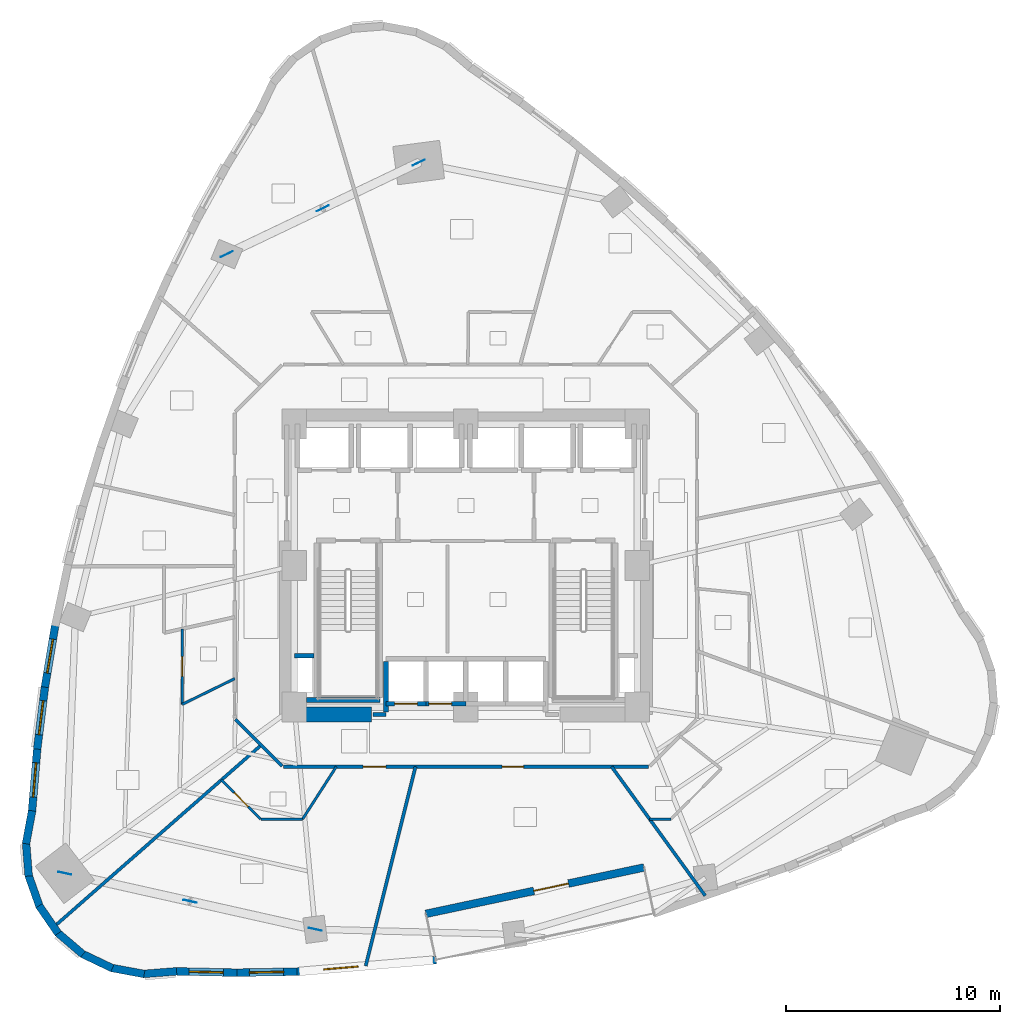
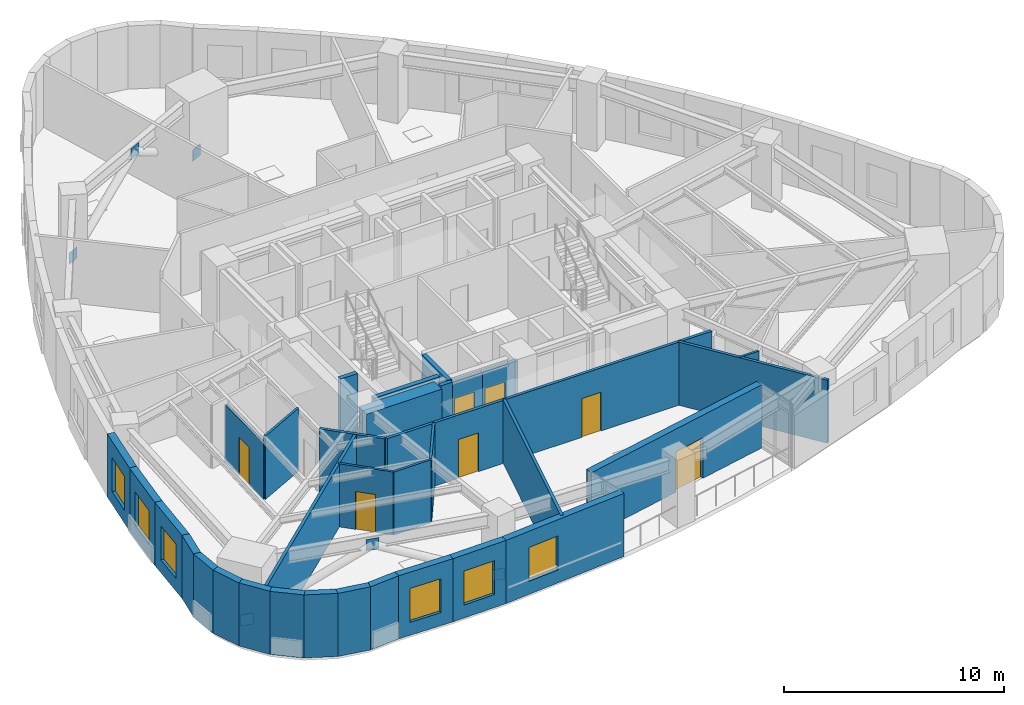
# One storey, part 5 of 12: 33 walls, 7 doors, 6 plates, 6 windows, 13 openings.
"""IFC4 building model written with IfcOpenShell, lengths in metres."""

from ifc_helpers import new_model, si_unit, direction, frame, frame_2d, origin, origin_2d, place, context, subcontext, project, spatial, rectangle, extrude, material, layer, layer_set, type_object, element, fill, save


model = new_model("IFC4")

# Units and contexts
model_context = context("Model", 3, precision=1e-05, world=origin(), true_north=direction((0.0, 1.0)))
body_context = subcontext(model_context, "Body", "Model", "MODEL_VIEW")
ifc_project = project(units=[si_unit("LENGTHUNIT", "METRE"), si_unit("AREAUNIT", "SQUARE_METRE"), si_unit("VOLUMEUNIT", "CUBIC_METRE"), si_unit("PLANEANGLEUNIT", "RADIAN"), si_unit("MASSUNIT", "GRAM", prefix="KILO")], contexts=[model_context])

# Site, building, storey
site_placement = place(None, origin())
site = spatial("IfcSite", under=ifc_project, at=site_placement, CompositionType="ELEMENT")
building_placement = place(site_placement, origin())
building = spatial("IfcBuilding", under=site, at=building_placement, Name="Ndelora Gate Hotel", CompositionType="ELEMENT")
storey_placement = place(building_placement, frame((0.0, 0.0, 71.75)))
storey = spatial("IfcBuildingStorey", under=building, at=storey_placement, Name="L17", CompositionType="ELEMENT", Elevation=71.75)

# Plates
ifc_material_1 = material(Name="Steel S355", Category="steel")
ifc_layer_1 = layer(ifc_material_1, 0.02001953125)
ifc_layer_set_1 = layer_set([ifc_layer_1], Name="Steel S355")
plate_type = type_object("IfcPlateType", Name="PL-NODE-VN1", PredefinedType="USERDEFINED", material=ifc_layer_set_1)
for number, where, z_axis, x_axis, name in (
    (1, (-2.199951171875, 18.800048828125, -0.2900390625), (0.0, 0.0, 1.0), (0.902510132242, 0.4306686211, 0.0), "Node gusset cap plate VN1"),
    (2, (-11.1484375, 14.529052734375, -0.2900390625), (0.0, 0.0, 1.0), (0.902510132242, 0.4306686211, 0.0), "Node gusset cap plate VN1"),
    (3, (-6.67431640625, 16.66455078125, 2.639892578125), (0.0, 0.0, 1.0), (0.902510132242, 0.4306686211, 0.0), "Node gusset cap plate VN1"),
    (4, (-18.701904296875, -14.3505859375, -0.2900390625), (0.0, 0.0, 1.0), (-0.975802408633, 0.218654200292, 0.0), "Node gusset cap plate VN1"),
    (5, (-7.027587890625, -16.96630859375, -0.2900390625), (0.0, 0.0, 1.0), (-0.975802408633, 0.218654200292, 0.0), "Node gusset cap plate VN1"),
    (6, (-12.86474609375, -15.658447265625, 2.639892578125), (0.0, 0.0, 1.0), (-0.975802408633, 0.218654200292, 0.0), "Node gusset cap plate VN1"),
):
    element("IfcPlate", number, at=place(storey_placement, frame(where, z_axis=z_axis, x_axis=x_axis)), inside=storey, type_object=plate_type, Name=name, ObjectType="GUSSET_PLATE", PredefinedType="USERDEFINED", context=body_context, shape_type="SweptSolid", body=[
        extrude(rectangle(XDim=0.6201171875, YDim=0.02001953125, at=origin_2d()), origin(), (0.0, 0.0, 1.0), 0.6201171875),
    ])

# Wall, opening, door
ifc_material_2 = material(Name="Clay Brick Masonry", Category="masonry")
ifc_layer_2 = layer(ifc_material_2, 0.360107421875)
ifc_layer_set_2 = layer_set([ifc_layer_2], Name="Clay Brick Masonry")
wall_type_1 = type_object("IfcWallType", Name="WL-BRICK-360", PredefinedType="SOLIDWALL", material=ifc_layer_set_2)
wall_1_placement = place(storey_placement, frame((8.309326171875, -14.081787109375, 0.0), z_axis=(0.0, 0.0, 1.0), x_axis=(-0.978145663611, -0.207920804056, 0.0)))
wall_1 = element("IfcWall", 7, at=wall_1_placement, inside=storey, type_object=wall_type_1, Name="L17 Sky-Garden Loggia Rear Brick Wall", PredefinedType="SOLIDWALL", context=body_context, shape_type="SweptSolid", body=[
    extrude(rectangle(XDim=10.39990234375, YDim=0.360107421875, at=frame_2d((5.199951171875, 0.0))), origin(), (0.0, 0.0, 1.0), 3.5),
])
opening_1_placement = place(wall_1_placement, frame((3.60009765625, 0.0, 0.0)))
opening_1 = element("IfcOpeningElement", 8, at=opening_1_placement, cuts=wall_1, Name="Opening TD1", PredefinedType="OPENING", context=body_context, shape_type="SweptSolid", body=[
    extrude(rectangle(XDim=1.64990234375, YDim=2.25, at=frame_2d((0.824951171875, 1.125))), frame((0.0, 0.18994140625, 0.0), z_axis=(0.0, -1.0, 0.0), x_axis=(1.0, 0.0, 0.0)), (0.0, 0.0, 1.0), 0.380126953125),
])
ifc_material_3 = material(Name="Architectural Bronze Glazed Door", Category="metal")
door_type_1 = type_object("IfcDoorType", Name="DR-TER-1650", OperationType="DOUBLE_DOOR_SINGLE_SWING", PredefinedType="DOOR", material=ifc_material_3)
door_1_placement = place(opening_1_placement, origin())
door_1 = element("IfcDoor", 9, at=door_1_placement, inside=storey, type_object=door_type_1, Name="L17 Sky-Garden Terrace Double Door TD1", OperationType="DOUBLE_DOOR_SINGLE_SWING", OverallHeight=2.25, OverallWidth=1.64990234375, PredefinedType="DOOR", context=body_context, shape_type="SweptSolid", body=[
    extrude(rectangle(XDim=1.64990234375, YDim=2.25, at=frame_2d((0.824951171875, 1.125))), frame((0.0, 0.02490234375, 0.0), z_axis=(0.0, -1.0, 0.0), x_axis=(1.0, 0.0, 0.0)), (0.0, 0.0, 1.0), 0.050048828125),
])
fill(opening_1, door_1)

# Wall, opening, window
wall_2_placement = place(storey_placement, frame((-19.6357421875, -5.670654296875, 0.0), z_axis=(0.0, 0.0, 1.0), x_axis=(0.164870141486, 0.986315282476, 0.0)))
wall_2 = element("IfcWall", 10, at=wall_2_placement, inside=storey, type_object=wall_type_1, Name="L17 Tower Brick Pier-and-Spandrel Wall TWR-18", PredefinedType="SOLIDWALL", context=body_context, shape_type="SweptSolid", body=[
    extrude(rectangle(XDim=2.94091796875, YDim=0.360107421875, at=frame_2d((1.470458984375, 0.0))), origin(), (0.0, 0.0, 1.0), 3.5),
])
opening_2_placement = place(wall_2_placement, frame((0.67041015625, 0.0, 0.719970703125)))
opening_2 = element("IfcOpeningElement", 11, at=opening_2_placement, cuts=wall_2, Name="Opening W01", PredefinedType="OPENING", context=body_context, shape_type="SweptSolid", body=[
    extrude(rectangle(XDim=1.60009765625, YDim=1.8798828125, at=frame_2d((0.800048828125, 0.93994140625))), frame((0.0, 0.18994140625, 0.0), z_axis=(0.0, -1.0, 0.0), x_axis=(1.0, 0.0, 0.0)), (0.0, 0.0, 1.0), 0.380126953125),
])
ifc_material_4 = material(Name="Insulated Low-E Double Glazing in Bronze Aluminium Frame", Category="aluminium")
window_type_1 = type_object("IfcWindowType", Name="WN-DEEP-1600", PartitioningType="SINGLE_PANEL", PredefinedType="WINDOW", material=ifc_material_4)
window_1_placement = place(opening_2_placement, origin())
window_1 = element("IfcWindow", 12, at=window_1_placement, inside=storey, type_object=window_type_1, Name="L17 Deep-Set Brick-Pier Window W01", OverallHeight=1.8798828125, OverallWidth=1.60009765625, PartitioningType="SINGLE_PANEL", PredefinedType="WINDOW", context=body_context, shape_type="SweptSolid", body=[
    extrude(rectangle(XDim=1.60009765625, YDim=1.8798828125, at=frame_2d((0.800048828125, 0.93994140625))), frame((0.0, 0.030029296875, 0.0), z_axis=(0.0, -1.0, 0.0), x_axis=(1.0, 0.0, 0.0)), (0.0, 0.0, 1.0), 0.06005859375),
])
fill(opening_2, window_1)

wall_3_placement = place(storey_placement, frame((-19.9951171875, -8.559814453125, 0.0), z_axis=(0.0, 0.0, 1.0), x_axis=(0.123740486397, 0.99231461343, 0.0)))
wall_3 = element("IfcWall", 13, at=wall_3_placement, inside=storey, type_object=wall_type_1, Name="L17 Tower Brick Pier-and-Spandrel Wall TWR-19", PredefinedType="SOLIDWALL", context=body_context, shape_type="SweptSolid", body=[
    extrude(rectangle(XDim=2.96142578125, YDim=0.360107421875, at=frame_2d((1.480712890625, 0.0))), origin(), (0.0, 0.0, 1.0), 3.5),
])
opening_3_placement = place(wall_3_placement, frame((0.6806640625, 0.0, 0.719970703125)))
opening_3 = element("IfcOpeningElement", 14, at=opening_3_placement, cuts=wall_3, Name="Opening W01", PredefinedType="OPENING", context=body_context, shape_type="SweptSolid", body=[
    extrude(rectangle(XDim=1.60009765625, YDim=1.8798828125, at=frame_2d((0.800048828125, 0.93994140625))), frame((0.0, 0.18994140625, 0.0), z_axis=(0.0, -1.0, 0.0), x_axis=(1.0, 0.0, 0.0)), (0.0, 0.0, 1.0), 0.380126953125),
])
window_2_placement = place(opening_3_placement, origin())
window_2 = element("IfcWindow", 15, at=window_2_placement, inside=storey, type_object=window_type_1, Name="L17 Deep-Set Brick-Pier Window W01", OverallHeight=1.8798828125, OverallWidth=1.60009765625, PartitioningType="SINGLE_PANEL", PredefinedType="WINDOW", context=body_context, shape_type="SweptSolid", body=[
    extrude(rectangle(XDim=1.60009765625, YDim=1.8798828125, at=frame_2d((0.800048828125, 0.93994140625))), frame((0.0, 0.030029296875, 0.0), z_axis=(0.0, -1.0, 0.0), x_axis=(1.0, 0.0, 0.0)), (0.0, 0.0, 1.0), 0.06005859375),
])
fill(opening_3, window_2)

wall_4_placement = place(storey_placement, frame((-20.23828125, -11.486572265625, 0.0), z_axis=(0.0, 0.0, 1.0), x_axis=(0.083126652996, 0.996538990487, 0.0)))
wall_4 = element("IfcWall", 16, at=wall_4_placement, inside=storey, type_object=wall_type_1, Name="L17 Tower Brick Pier-and-Spandrel Wall TWR-20", PredefinedType="SOLIDWALL", context=body_context, shape_type="SweptSolid", body=[
    extrude(rectangle(XDim=2.98681640625, YDim=0.360107421875, at=frame_2d((1.493408203125, 0.0))), origin(), (0.0, 0.0, 1.0), 3.5),
])
opening_4_placement = place(wall_4_placement, frame((0.693603515625, 0.0, 0.719970703125)))
opening_4 = element("IfcOpeningElement", 17, at=opening_4_placement, cuts=wall_4, Name="Opening W01", PredefinedType="OPENING", context=body_context, shape_type="SweptSolid", body=[
    extrude(rectangle(XDim=1.60009765625, YDim=1.8798828125, at=frame_2d((0.800048828125, 0.93994140625))), frame((0.0, 0.18994140625, 0.0), z_axis=(0.0, -1.0, 0.0), x_axis=(1.0, 0.0, 0.0)), (0.0, 0.0, 1.0), 0.380126953125),
])
window_3_placement = place(opening_4_placement, origin())
window_3 = element("IfcWindow", 18, at=window_3_placement, inside=storey, type_object=window_type_1, Name="L17 Deep-Set Brick-Pier Window W01", OverallHeight=1.8798828125, OverallWidth=1.60009765625, PartitioningType="SINGLE_PANEL", PredefinedType="WINDOW", context=body_context, shape_type="SweptSolid", body=[
    extrude(rectangle(XDim=1.60009765625, YDim=1.8798828125, at=frame_2d((0.800048828125, 0.93994140625))), frame((0.0, 0.030029296875, 0.0), z_axis=(0.0, -1.0, 0.0), x_axis=(1.0, 0.0, 0.0)), (0.0, 0.0, 1.0), 0.06005859375),
])
fill(opening_4, window_3)

# Walls
for number, where, z_axis, x_axis, name in (
    (19, (-20.516845703125, -12.97509765625, 0.0), (0.0, 0.0, 1.0), (0.18229045082, 0.983244726169, 0.0), "L17 Tower Brick Pier-and-Spandrel Wall TWR-21"),
    (20, (-20.391357421875, -14.48486328125, 0.0), (0.0, 0.0, 1.0), (-0.078510627557, 0.99691327675, 0.0), "L17 Tower Brick Pier-and-Spandrel Wall TWR-22"),
    (21, (-19.879638671875, -15.910888671875, 0.0), (0.0, 0.0, 1.0), (-0.333685345648, 0.942684512496, 0.0), "L17 Tower Brick Pier-and-Spandrel Wall TWR-23"),
):
    element("IfcWall", number, at=place(storey_placement, frame(where, z_axis=z_axis, x_axis=x_axis)), inside=storey, type_object=wall_type_1, Name=name, PredefinedType="SOLIDWALL", context=body_context, shape_type="SweptSolid", body=[
        extrude(rectangle(XDim=1.564208984375, YDim=0.360107421875, at=frame_2d((0.7822265625, 0.0))), origin(), (0.0, 0.0, 1.0), 3.5),
    ])
for number, where, z_axis, x_axis, name in (
    (22, (-19.01611328125, -17.155517578125, 0.0), (0.0, 0.0, 1.0), (-0.566495697246, 0.824064697097, 0.0), "L17 Tower Brick Pier-and-Spandrel Wall TWR-24"),
    (23, (-17.860107421875, -18.134521484375, 0.0), (0.0, 0.0, 1.0), (-0.76042346739, 0.649427555808, 0.0), "L17 Tower Brick Pier-and-Spandrel Wall TWR-25"),
):
    element("IfcWall", number, at=place(storey_placement, frame(where, z_axis=z_axis, x_axis=x_axis)), inside=storey, type_object=wall_type_1, Name=name, PredefinedType="SOLIDWALL", context=body_context, shape_type="SweptSolid", body=[
        extrude(rectangle(XDim=1.56396484375, YDim=0.360107421875, at=frame_2d((0.781982421875, 0.0))), origin(), (0.0, 0.0, 1.0), 3.5),
    ])
for number, where, z_axis, x_axis, name in (
    (24, (-16.48974609375, -18.781005859375, 0.0), (0.0, 0.0, 1.0), (-0.902545831902, 0.430593800833, 0.0), "L17 Tower Brick Pier-and-Spandrel Wall TWR-26"),
    (25, (-14.9990234375, -19.05078125, 0.0), (0.0, 0.0, 1.0), (-0.983244726169, 0.18229045082, 0.0), "L17 Tower Brick Pier-and-Spandrel Wall TWR-27"),
    (26, (-13.4892578125, -18.92529296875, 0.0), (0.0, 0.0, 1.0), (-0.99691327675, -0.078510627557, 0.0), "L17 Tower Brick Pier-and-Spandrel Wall TWR-28"),
):
    element("IfcWall", number, at=place(storey_placement, frame(where, z_axis=z_axis, x_axis=x_axis)), inside=storey, type_object=wall_type_1, Name=name, PredefinedType="SOLIDWALL", context=body_context, shape_type="SweptSolid", body=[
        extrude(rectangle(XDim=1.564208984375, YDim=0.360107421875, at=frame_2d((0.7822265625, 0.0))), origin(), (0.0, 0.0, 1.0), 3.5),
    ])

# Wall, opening, window
wall_5_placement = place(storey_placement, frame((-10.669921875, -18.99072265625, 0.0), z_axis=(0.0, 0.0, 1.0), x_axis=(-0.999751621908, 0.02228664383, 0.0)))
wall_5 = element("IfcWall", 27, at=wall_5_placement, inside=storey, type_object=wall_type_1, Name="L17 Tower Brick Pier-and-Spandrel Wall TWR-29", PredefinedType="SOLIDWALL", context=body_context, shape_type="SweptSolid", body=[
    extrude(rectangle(XDim=2.8701171875, YDim=0.360107421875, at=frame_2d((1.43505859375, 0.0))), origin(), (0.0, 0.0, 1.0), 3.5),
])
opening_5_placement = place(wall_5_placement, frame((0.635009765625, 0.0, 0.719970703125)))
opening_5 = element("IfcOpeningElement", 28, at=opening_5_placement, cuts=wall_5, Name="Opening W03", PredefinedType="OPENING", context=body_context, shape_type="SweptSolid", body=[
    extrude(rectangle(XDim=1.60009765625, YDim=1.8798828125, at=frame_2d((0.800048828125, 0.93994140625))), frame((0.0, 0.18994140625, 0.0), z_axis=(0.0, -1.0, 0.0), x_axis=(1.0, 0.0, 0.0)), (0.0, 0.0, 1.0), 0.380126953125),
])
window_type_2 = type_object("IfcWindowType", Name="WN-CORN-2100", PartitioningType="SINGLE_PANEL", PredefinedType="WINDOW", material=ifc_material_4)
window_4_placement = place(opening_5_placement, origin())
window_4 = element("IfcWindow", 29, at=window_4_placement, inside=storey, type_object=window_type_2, Name="L17 Deep-Set Brick-Pier Window W03", OverallHeight=1.8798828125, OverallWidth=1.60009765625, PartitioningType="SINGLE_PANEL", PredefinedType="WINDOW", context=body_context, shape_type="SweptSolid", body=[
    extrude(rectangle(XDim=1.60009765625, YDim=1.8798828125, at=frame_2d((0.800048828125, 0.93994140625))), frame((0.0, 0.030029296875, 0.0), z_axis=(0.0, -1.0, 0.0), x_axis=(1.0, 0.0, 0.0)), (0.0, 0.0, 1.0), 0.06005859375),
])
fill(opening_5, window_4)

wall_6_placement = place(storey_placement, frame((-7.8740234375, -18.9423828125, 0.0), z_axis=(0.0, 0.0, 1.0), x_axis=(-0.999857230365, -0.016897304142, 0.0)))
wall_6 = element("IfcWall", 30, at=wall_6_placement, inside=storey, type_object=wall_type_1, Name="L17 Tower Brick Pier-and-Spandrel Wall TWR-30", PredefinedType="SOLIDWALL", context=body_context, shape_type="SweptSolid", body=[
    extrude(rectangle(XDim=2.846435546875, YDim=0.360107421875, at=frame_2d((1.42333984375, 0.0))), origin(), (0.0, 0.0, 1.0), 3.5),
])
opening_6_placement = place(wall_6_placement, frame((0.623291015625, 0.0, 0.719970703125)))
opening_6 = element("IfcOpeningElement", 31, at=opening_6_placement, cuts=wall_6, Name="Opening W01", PredefinedType="OPENING", context=body_context, shape_type="SweptSolid", body=[
    extrude(rectangle(XDim=1.60009765625, YDim=1.8798828125, at=frame_2d((0.800048828125, 0.93994140625))), frame((0.0, 0.18994140625, 0.0), z_axis=(0.0, -1.0, 0.0), x_axis=(1.0, 0.0, 0.0)), (0.0, 0.0, 1.0), 0.380126953125),
])
window_5_placement = place(opening_6_placement, origin())
window_5 = element("IfcWindow", 32, at=window_5_placement, inside=storey, type_object=window_type_1, Name="L17 Deep-Set Brick-Pier Window W01", OverallHeight=1.8798828125, OverallWidth=1.60009765625, PartitioningType="SINGLE_PANEL", PredefinedType="WINDOW", context=body_context, shape_type="SweptSolid", body=[
    extrude(rectangle(XDim=1.60009765625, YDim=1.8798828125, at=frame_2d((0.800048828125, 0.93994140625))), frame((0.0, 0.030029296875, 0.0), z_axis=(0.0, -1.0, 0.0), x_axis=(1.0, 0.0, 0.0)), (0.0, 0.0, 1.0), 0.06005859375),
])
fill(opening_6, window_5)

wall_7_placement = place(storey_placement, frame((-1.381103515625, -18.39404296875, 0.0), z_axis=(0.0, 0.0, 1.0), x_axis=(-0.996472288139, -0.083922458089, 0.0)))
wall_7 = element("IfcWall", 33, at=wall_7_placement, inside=storey, type_object=wall_type_1, Name="L17 Tower Brick Pier-and-Spandrel Wall TWR-31", PredefinedType="SOLIDWALL", context=body_context, shape_type="SweptSolid", body=[
    extrude(rectangle(XDim=6.56591796875, YDim=0.360107421875, at=frame_2d((3.282958984375, 0.0))), origin(), (0.0, 0.0, 1.0), 3.5),
])
opening_7_placement = place(wall_7_placement, frame((3.659912109375, 0.0, 0.719970703125)))
opening_7 = element("IfcOpeningElement", 34, at=opening_7_placement, cuts=wall_7, Name="Opening W01", PredefinedType="OPENING", context=body_context, shape_type="SweptSolid", body=[
    extrude(rectangle(XDim=1.60009765625, YDim=1.8798828125, at=frame_2d((0.800048828125, 0.93994140625))), frame((0.0, 0.18994140625, 0.0), z_axis=(0.0, -1.0, 0.0), x_axis=(1.0, 0.0, 0.0)), (0.0, 0.0, 1.0), 0.380126953125),
])
window_6_placement = place(opening_7_placement, origin())
window_6 = element("IfcWindow", 35, at=window_6_placement, inside=storey, type_object=window_type_1, Name="L17 Deep-Set Brick-Pier Window W01", OverallHeight=1.8798828125, OverallWidth=1.60009765625, PartitioningType="SINGLE_PANEL", PredefinedType="WINDOW", context=body_context, shape_type="SweptSolid", body=[
    extrude(rectangle(XDim=1.60009765625, YDim=1.8798828125, at=frame_2d((0.800048828125, 0.93994140625))), frame((0.0, 0.030029296875, 0.0), z_axis=(0.0, -1.0, 0.0), x_axis=(1.0, 0.0, 0.0)), (0.0, 0.0, 1.0), 0.06005859375),
])
fill(opening_7, window_6)

# Walls
ifc_material_5 = material(Name="Concrete C60/75", Category="concrete")
ifc_layer_3 = layer(ifc_material_5, 0.699951171875)
ifc_layer_set_3 = layer_set([ifc_layer_3], Name="Concrete C60/75")
wall_type_2 = type_object("IfcWallType", Name="WL-CORE-700", PredefinedType="SHEAR", material=ifc_layer_set_3)
wall_8_placement = place(storey_placement, frame((-8.35009765625, -6.949951171875, 0.0), z_axis=(0.0, 0.0, 1.0), x_axis=(1.0, 0.0, 0.0)))
element("IfcWall", 36, at=wall_8_placement, inside=storey, type_object=wall_type_2, Name="L17 Core Shear Wall S-W", PredefinedType="SHEAR", context=body_context, shape_type="SweptSolid", body=[
    extrude(rectangle(XDim=3.9501953125, YDim=0.699951171875, at=frame_2d((1.97509765625, 0.0))), origin(), (0.0, 0.0, 1.0), 3.5),
])
ifc_material_6 = material(Name="Concrete C40/50", Category="concrete")
ifc_layer_4 = layer(ifc_material_6, 0.199951171875)
ifc_layer_set_4 = layer_set([ifc_layer_4], Name="Concrete C40/50")
wall_type_3 = type_object("IfcWallType", Name="WL-FIRE-200", PredefinedType="PARTITIONING", material=ifc_layer_set_4)
wall_9_placement = place(storey_placement, frame((-4.320068359375, -6.949951171875, 0.0), z_axis=(0.0, 0.0, 1.0), x_axis=(1.0, 0.0, 0.0)))
element("IfcWall", 37, at=wall_9_placement, inside=storey, type_object=wall_type_3, Name="L17 Interior Wall IW-2", PredefinedType="PARTITIONING", context=body_context, shape_type="SweptSolid", body=[
    extrude(rectangle(XDim=0.60009765625, YDim=0.199951171875, at=frame_2d((0.300048828125, 0.0))), origin(), (0.0, 0.0, 1.0), 3.5),
])

# Wall, openings, doors
ifc_material_7 = material(Name="Fire-Rated Gypsum Stud Partition", Category="gypsum")
ifc_layer_5 = layer(ifc_material_7, 0.14990234375)
ifc_layer_set_5 = layer_set([ifc_layer_5], Name="Fire-Rated Gypsum Stud Partition")
wall_type_4 = type_object("IfcWallType", Name="WL-PART-150", PredefinedType="PARTITIONING", material=ifc_layer_set_5)
wall_10_placement = place(storey_placement, frame((8.510009765625, -9.3798828125, 0.0), z_axis=(0.0, 0.0, 1.0), x_axis=(-1.0, 0.0, 0.0)))
wall_10 = element("IfcWall", 38, at=wall_10_placement, inside=storey, type_object=wall_type_4, Name="L17 Interior Wall IW-5", PredefinedType="PARTITIONING", context=body_context, shape_type="SweptSolid", body=[
    extrude(rectangle(XDim=17.02001953125, YDim=0.14990234375, at=frame_2d((8.510009765625, 0.0))), origin(), (0.0, 0.0, 1.0), 3.5),
])
opening_8_placement = place(wall_10_placement, frame((5.815185546875, 0.0, 0.0)))
opening_8 = element("IfcOpeningElement", 39, at=opening_8_placement, cuts=wall_10, Name="Opening D01", PredefinedType="OPENING", context=body_context, shape_type="SweptSolid", body=[
    extrude(rectangle(XDim=1.0, YDim=2.14990234375, at=frame_2d((0.5, 1.074951171875))), frame((0.0, 0.0849609375, 0.0), z_axis=(0.0, -1.0, 0.0), x_axis=(1.0, 0.0, 0.0)), (0.0, 0.0, 1.0), 0.169921875),
])
opening_9_placement = place(wall_10_placement, frame((12.23779296875, 0.0, 0.0)))
opening_9 = element("IfcOpeningElement", 40, at=opening_9_placement, cuts=wall_10, Name="Opening D07", PredefinedType="OPENING", context=body_context, shape_type="SweptSolid", body=[
    extrude(rectangle(XDim=1.06005859375, YDim=2.14990234375, at=frame_2d((0.530029296875, 1.074951171875))), frame((0.0, 0.0849609375, 0.0), z_axis=(0.0, -1.0, 0.0), x_axis=(1.0, 0.0, 0.0)), (0.0, 0.0, 1.0), 0.169921875),
])
ifc_material_8 = material(Name="Acoustic Hardwood Guest Entrance Door", Category="wood")
door_type_2 = type_object("IfcDoorType", Name="DR-COR-1000", OperationType="SINGLE_SWING_LEFT", PredefinedType="DOOR", material=ifc_material_8)
door_2_placement = place(opening_8_placement, origin())
door_2 = element("IfcDoor", 41, at=door_2_placement, inside=storey, type_object=door_type_2, Name="L17 Sky Garden Tea Dining Room Entrance Door", OperationType="SINGLE_SWING_LEFT", OverallHeight=2.14990234375, OverallWidth=1.0, PredefinedType="DOOR", context=body_context, shape_type="SweptSolid", body=[
    extrude(rectangle(XDim=1.0, YDim=2.14990234375, at=frame_2d((0.5, 1.074951171875))), frame((0.0, 0.02490234375, 0.0), z_axis=(0.0, -1.0, 0.0), x_axis=(1.0, 0.0, 0.0)), (0.0, 0.0, 1.0), 0.050048828125),
])
fill(opening_8, door_2)
ifc_material_9 = material(Name="Diplomatic Suite Acoustic Entrance Door", Category="wood")
door_type_3 = type_object("IfcDoorType", Name="DR-SUITE-1060", OperationType="SINGLE_SWING_LEFT", PredefinedType="DOOR", material=ifc_material_9)
door_3_placement = place(opening_9_placement, origin())
door_3 = element("IfcDoor", 42, at=door_3_placement, inside=storey, type_object=door_type_3, Name="L17 Corner Executive Suite 2002 Entrance Door", OperationType="SINGLE_SWING_LEFT", OverallHeight=2.14990234375, OverallWidth=1.06005859375, PredefinedType="DOOR", context=body_context, shape_type="SweptSolid", body=[
    extrude(rectangle(XDim=1.06005859375, YDim=2.14990234375, at=frame_2d((0.530029296875, 1.074951171875))), frame((0.0, 0.02490234375, 0.0), z_axis=(0.0, -1.0, 0.0), x_axis=(1.0, 0.0, 0.0)), (0.0, 0.0, 1.0), 0.050048828125),
])
fill(opening_9, door_3)

# Walls
wall_11_placement = place(storey_placement, frame((-8.578369140625, -9.351806640625, 0.0), z_axis=(0.0, 0.0, 1.0), x_axis=(-0.707067066127, 0.707146494016, 0.0)))
element("IfcWall", 43, at=wall_11_placement, inside=storey, type_object=wall_type_4, Name="L17 Interior Wall IW-5", PredefinedType="PARTITIONING", context=body_context, shape_type="SweptSolid", body=[
    extrude(rectangle(XDim=3.07373046875, YDim=0.14990234375, at=frame_2d((1.536865234375, 0.0))), origin(), (0.0, 0.0, 1.0), 3.5),
])
wall_12_placement = place(storey_placement, frame((-9.552490234375, -8.37744140625, 0.0), z_axis=(0.0, 0.0, 1.0), x_axis=(-0.751837697968, -0.659348220529, 0.0)))
element("IfcWall", 44, at=wall_12_placement, inside=storey, type_object=wall_type_4, Name="L17 Interior Wall IW-5", PredefinedType="PARTITIONING", context=body_context, shape_type="SweptSolid", body=[
    extrude(rectangle(XDim=12.8603515625, YDim=0.14990234375, at=frame_2d((6.43017578125, 0.0))), origin(), (0.0, 0.0, 1.0), 3.5),
])
wall_13_placement = place(storey_placement, frame((-2.34521484375, -9.3798828125, 0.0), z_axis=(0.0, 0.0, 1.0), x_axis=(-0.242559617753, -0.970136501651, 0.0)))
element("IfcWall", 45, at=wall_13_placement, inside=storey, type_object=wall_type_4, Name="L17 Interior Wall IW-5", PredefinedType="PARTITIONING", context=body_context, shape_type="SweptSolid", body=[
    extrude(rectangle(XDim=9.576904296875, YDim=0.14990234375, at=frame_2d((4.78857421875, 0.0))), origin(), (0.0, 0.0, 1.0), 3.5),
])
wall_14_placement = place(storey_placement, frame((6.802490234375, -9.3798828125, 0.0), z_axis=(0.0, 0.0, 1.0), x_axis=(0.587044518105, -0.809554651499, 0.0)))
element("IfcWall", 46, at=wall_14_placement, inside=storey, type_object=wall_type_4, Name="L17 Interior Wall IW-5", PredefinedType="PARTITIONING", context=body_context, shape_type="SweptSolid", body=[
    extrude(rectangle(XDim=7.434814453125, YDim=0.14990234375, at=frame_2d((3.71728515625, 0.0))), origin(), (0.0, 0.0, 1.0), 3.5),
])
ifc_layer_6 = layer(ifc_material_6, 0.219970703125)
ifc_layer_set_6 = layer_set([ifc_layer_6], Name="Concrete C40/50")
wall_type_5 = type_object("IfcWallType", Name="WL-SHAFT-220", PredefinedType="PARTITIONING", material=ifc_layer_set_6)
wall_15_placement = place(storey_placement, frame((-8.0, -4.199951171875, 0.0), z_axis=(0.0, 0.0, 1.0), x_axis=(1.0, 0.0, 0.0)))
element("IfcWall", 47, at=wall_15_placement, inside=storey, type_object=wall_type_5, Name="L17 Interior Wall IW-1", PredefinedType="PARTITIONING", context=body_context, shape_type="SweptSolid", body=[
    extrude(rectangle(XDim=0.909912109375, YDim=0.219970703125, at=frame_2d((0.455078125, 0.0))), origin(), (0.0, 0.0, 1.0), 3.5),
])

# Wall, opening, door
wall_16_placement = place(storey_placement, frame((-3.719970703125, -6.449951171875, 0.0), z_axis=(0.0, 0.0, 1.0), x_axis=(1.0, 0.0, 0.0)))
wall_16 = element("IfcWall", 48, at=wall_16_placement, inside=storey, type_object=wall_type_5, Name="L17 Interior Wall IW-1", PredefinedType="PARTITIONING", context=body_context, shape_type="SweptSolid", body=[
    extrude(rectangle(XDim=1.85986328125, YDim=0.219970703125, at=frame_2d((0.929931640625, 0.0))), origin(), (0.0, 0.0, 1.0), 3.080078125),
])
opening_10_placement = place(wall_16_placement, frame((0.39990234375, 0.0, 0.0)))
opening_10 = element("IfcOpeningElement", 49, at=opening_10_placement, cuts=wall_16, Name="Opening LD1", PredefinedType="OPENING", context=body_context, shape_type="SweptSolid", body=[
    extrude(rectangle(XDim=1.06005859375, YDim=2.14990234375, at=frame_2d((0.530029296875, 1.074951171875))), frame((0.0, 0.1201171875, 0.0), z_axis=(0.0, -1.0, 0.0), x_axis=(1.0, 0.0, 0.0)), (0.0, 0.0, 1.0), 0.239990234375),
])
ifc_material_10 = material(Name="Brushed Bronze Stainless Lift Landing Door", Category="metal")
door_type_4 = type_object("IfcDoorType", Name="DR-LD1", OperationType="DOUBLE_DOOR_SLIDING", PredefinedType="DOOR", material=ifc_material_10)
door_4_placement = place(opening_10_placement, origin())
door_4 = element("IfcDoor", 50, at=door_4_placement, inside=storey, type_object=door_type_4, Name="L17 Lift Landing Sliding Door P1A", OperationType="DOUBLE_DOOR_SLIDING", OverallHeight=2.14990234375, OverallWidth=1.06005859375, PredefinedType="DOOR", context=body_context, shape_type="SweptSolid", body=[
    extrude(rectangle(XDim=1.06005859375, YDim=2.14990234375, at=frame_2d((0.530029296875, 1.074951171875))), frame((0.0, 0.02490234375, 0.0), z_axis=(0.0, -1.0, 0.0), x_axis=(1.0, 0.0, 0.0)), (0.0, 0.0, 1.0), 0.050048828125),
])
fill(opening_10, door_4)

# Wall
wall_17_placement = place(storey_placement, frame((-3.719970703125, -6.830078125, 0.0), z_axis=(0.0, 0.0, 1.0), x_axis=(0.0, 1.0, 0.0)))
element("IfcWall", 51, at=wall_17_placement, inside=storey, type_object=wall_type_5, Name="L17 Interior Wall IW-1", PredefinedType="PARTITIONING", context=body_context, shape_type="SweptSolid", body=[
    extrude(rectangle(XDim=2.360107421875, YDim=0.219970703125, at=frame_2d((1.18017578125, 0.0))), origin(), (0.0, 0.0, 1.0), 3.5),
])

# Wall, opening, door
wall_18_placement = place(storey_placement, frame((-1.860107421875, -6.449951171875, 0.0), z_axis=(0.0, 0.0, 1.0), x_axis=(1.0, 0.0, 0.0)))
wall_18 = element("IfcWall", 52, at=wall_18_placement, inside=storey, type_object=wall_type_5, Name="L17 Interior Wall IW-1", PredefinedType="PARTITIONING", context=body_context, shape_type="SweptSolid", body=[
    extrude(rectangle(XDim=1.860107421875, YDim=0.219970703125, at=frame_2d((0.93017578125, 0.0))), origin(), (0.0, 0.0, 1.0), 3.080078125),
])
opening_11_placement = place(wall_18_placement, frame((0.139892578125, 0.0, 0.0)))
opening_11 = element("IfcOpeningElement", 53, at=opening_11_placement, cuts=wall_18, Name="Opening LD1", PredefinedType="OPENING", context=body_context, shape_type="SweptSolid", body=[
    extrude(rectangle(XDim=1.06005859375, YDim=2.14990234375, at=frame_2d((0.530029296875, 1.074951171875))), frame((0.0, 0.1201171875, 0.0), z_axis=(0.0, -1.0, 0.0), x_axis=(1.0, 0.0, 0.0)), (0.0, 0.0, 1.0), 0.239990234375),
])
door_5_placement = place(opening_11_placement, origin())
door_5 = element("IfcDoor", 54, at=door_5_placement, inside=storey, type_object=door_type_4, Name="L17 Lift Landing Sliding Door P1B", OperationType="DOUBLE_DOOR_SLIDING", OverallHeight=2.14990234375, OverallWidth=1.06005859375, PredefinedType="DOOR", context=body_context, shape_type="SweptSolid", body=[
    extrude(rectangle(XDim=1.06005859375, YDim=2.14990234375, at=frame_2d((0.530029296875, 1.074951171875))), frame((0.0, 0.02490234375, 0.0), z_axis=(0.0, -1.0, 0.0), x_axis=(1.0, 0.0, 0.0)), (0.0, 0.0, 1.0), 0.050048828125),
])
fill(opening_11, door_5)

# Walls
ifc_material_11 = material(Name="Concrete C50/60", Category="concrete")
ifc_layer_7 = layer(ifc_material_11, 0.239990234375)
ifc_layer_set_7 = layer_set([ifc_layer_7], Name="Concrete C50/60")
wall_type_6 = type_object("IfcWallType", Name="WL-STAIR-240", PredefinedType="SHEAR", material=ifc_layer_set_7)
wall_19_placement = place(storey_placement, frame((-7.425048828125, -6.27001953125, 0.0), z_axis=(0.0, 0.0, 1.0), x_axis=(1.0, 0.0, 0.0)))
element("IfcWall", 55, at=wall_19_placement, inside=storey, type_object=wall_type_6, Name="L17 Stair Core Shear Wall SW-ST", PredefinedType="SHEAR", context=body_context, shape_type="SweptSolid", body=[
    extrude(rectangle(XDim=3.4150390625, YDim=0.239990234375, at=frame_2d((1.70751953125, 0.0))), origin(), (0.0, 0.0, 1.0), 3.5),
])
ifc_material_12 = material(Name="Moisture-Resistant Bathroom Tile Partition", Category="gypsum")
ifc_layer_8 = layer(ifc_material_12, 0.1201171875)
ifc_layer_set_8 = layer_set([ifc_layer_8], Name="Moisture-Resistant Bathroom Tile Partition")
wall_type_7 = type_object("IfcWallType", Name="WL-WET-120", PredefinedType="PARTITIONING", material=ifc_layer_set_8)
wall_20_placement = place(storey_placement, frame((-10.780029296875, -5.273193359375, 0.0), z_axis=(0.0, 0.0, 1.0), x_axis=(-0.898278372968, -0.439426859282, 0.0)))
element("IfcWall", 56, at=wall_20_placement, inside=storey, type_object=wall_type_7, Name="L17 Interior Wall IW-7", PredefinedType="PARTITIONING", context=body_context, shape_type="SweptSolid", body=[
    extrude(rectangle(XDim=2.727294921875, YDim=0.1201171875, at=frame_2d((1.36376953125, 0.0))), origin(), (0.0, 0.0, 1.0), 3.5),
])

# Wall, opening, door
wall_21_placement = place(storey_placement, frame((-13.22998046875, -6.4716796875, 0.0), z_axis=(0.0, 0.0, 1.0), x_axis=(0.0, 1.0, 0.0)))
wall_21 = element("IfcWall", 57, at=wall_21_placement, inside=storey, type_object=wall_type_7, Name="L17 Interior Wall IW-7", PredefinedType="PARTITIONING", context=body_context, shape_type="SweptSolid", body=[
    extrude(rectangle(XDim=3.522705078125, YDim=0.1201171875, at=frame_2d((1.76123046875, 0.0))), origin(), (0.0, 0.0, 1.0), 3.1201171875),
])
opening_12_placement = place(wall_21_placement, frame((1.30126953125, 0.0, 0.0)))
opening_12 = element("IfcOpeningElement", 58, at=opening_12_placement, cuts=wall_21, Name="Opening D03", PredefinedType="OPENING", context=body_context, shape_type="SweptSolid", body=[
    extrude(rectangle(XDim=0.919921875, YDim=2.10009765625, at=frame_2d((0.4599609375, 1.050048828125))), frame((0.0, 0.070068359375, 0.0), z_axis=(0.0, -1.0, 0.0), x_axis=(1.0, 0.0, 0.0)), (0.0, 0.0, 1.0), 0.14013671875),
])
ifc_material_13 = material(Name="Moisture-Resistant Hardwood En-Suite Door", Category="wood")
door_type_5 = type_object("IfcDoorType", Name="DR-BATH-920", OperationType="SINGLE_SWING_LEFT", PredefinedType="DOOR", material=ifc_material_13)
door_6_placement = place(opening_12_placement, origin())
door_6 = element("IfcDoor", 59, at=door_6_placement, inside=storey, type_object=door_type_5, Name="L17 En-suite Bathroom 2001 Door", OperationType="SINGLE_SWING_RIGHT", OverallHeight=2.10009765625, OverallWidth=0.919921875, PredefinedType="DOOR", context=body_context, shape_type="SweptSolid", body=[
    extrude(rectangle(XDim=0.919921875, YDim=2.10009765625, at=frame_2d((0.4599609375, 1.050048828125))), frame((0.0, 0.02490234375, 0.0), z_axis=(0.0, -1.0, 0.0), x_axis=(1.0, 0.0, 0.0)), (0.0, 0.0, 1.0), 0.050048828125),
])
fill(opening_12, door_6)

# Walls
wall_22_placement = place(storey_placement, frame((-7.61865234375, -11.830078125, 0.0), z_axis=(0.0, 0.0, 1.0), x_axis=(0.541367176674, 0.840786286769, 0.0)))
element("IfcWall", 60, at=wall_22_placement, inside=storey, type_object=wall_type_7, Name="L17 Interior Wall IW-7", PredefinedType="PARTITIONING", context=body_context, shape_type="SweptSolid", body=[
    extrude(rectangle(XDim=2.9140625, YDim=0.1201171875, at=frame_2d((1.45703125, 0.0))), origin(), (0.0, 0.0, 1.0), 3.5),
])
wall_23_placement = place(storey_placement, frame((-7.61865234375, -11.830078125, 0.0), z_axis=(0.0, 0.0, 1.0), x_axis=(-1.0, 0.0, 0.0)))
element("IfcWall", 61, at=wall_23_placement, inside=storey, type_object=wall_type_7, Name="L17 Interior Wall IW-7", PredefinedType="PARTITIONING", context=body_context, shape_type="SweptSolid", body=[
    extrude(rectangle(XDim=1.946044921875, YDim=0.1201171875, at=frame_2d((0.97314453125, 0.0))), origin(), (0.0, 0.0, 1.0), 3.5),
])

# Wall, opening, door
wall_24_placement = place(storey_placement, frame((-9.564697265625, -11.830078125, 0.0), z_axis=(0.0, 0.0, 1.0), x_axis=(-0.707106781187, 0.707106781187, 0.0)))
wall_24 = element("IfcWall", 62, at=wall_24_placement, inside=storey, type_object=wall_type_7, Name="L17 Interior Wall IW-7", PredefinedType="PARTITIONING", context=body_context, shape_type="SweptSolid", body=[
    extrude(rectangle(XDim=2.59326171875, YDim=0.1201171875, at=frame_2d((1.296630859375, 0.0))), origin(), (0.0, 0.0, 1.0), 3.5),
])
opening_13_placement = place(wall_24_placement, frame((0.836669921875, 0.0, 0.0)))
opening_13 = element("IfcOpeningElement", 63, at=opening_13_placement, cuts=wall_24, Name="Opening D03", PredefinedType="OPENING", context=body_context, shape_type="SweptSolid", body=[
    extrude(rectangle(XDim=0.919921875, YDim=2.10009765625, at=frame_2d((0.4599609375, 1.050048828125))), frame((0.0, 0.070068359375, 0.0), z_axis=(0.0, -1.0, 0.0), x_axis=(1.0, 0.0, 0.0)), (0.0, 0.0, 1.0), 0.14013671875),
])
door_7_placement = place(opening_13_placement, origin())
door_7 = element("IfcDoor", 64, at=door_7_placement, inside=storey, type_object=door_type_5, Name="L17 En-suite Bathroom 2002 Door", OperationType="SINGLE_SWING_LEFT", OverallHeight=2.10009765625, OverallWidth=0.919921875, PredefinedType="DOOR", context=body_context, shape_type="SweptSolid", body=[
    extrude(rectangle(XDim=0.919921875, YDim=2.10009765625, at=frame_2d((0.4599609375, 1.050048828125))), frame((0.0, 0.02490234375, 0.0), z_axis=(0.0, -1.0, 0.0), x_axis=(1.0, 0.0, 0.0)), (0.0, 0.0, 1.0), 0.050048828125),
])
fill(opening_13, door_7)

# Wall
wall_25_placement = place(storey_placement, frame((8.5791015625, -11.830078125, 0.0), z_axis=(0.0, 0.0, 1.0), x_axis=(1.0, 0.0, 0.0)))
element("IfcWall", 65, at=wall_25_placement, inside=storey, type_object=wall_type_7, Name="L17 Interior Wall IW-7", PredefinedType="PARTITIONING", context=body_context, shape_type="SweptSolid", body=[
    extrude(rectangle(XDim=0.985595703125, YDim=0.1201171875, at=frame_2d((0.49267578125, 0.0))), origin(), (0.0, 0.0, 1.0), 3.5),
])

save(model, "model.ifc")
